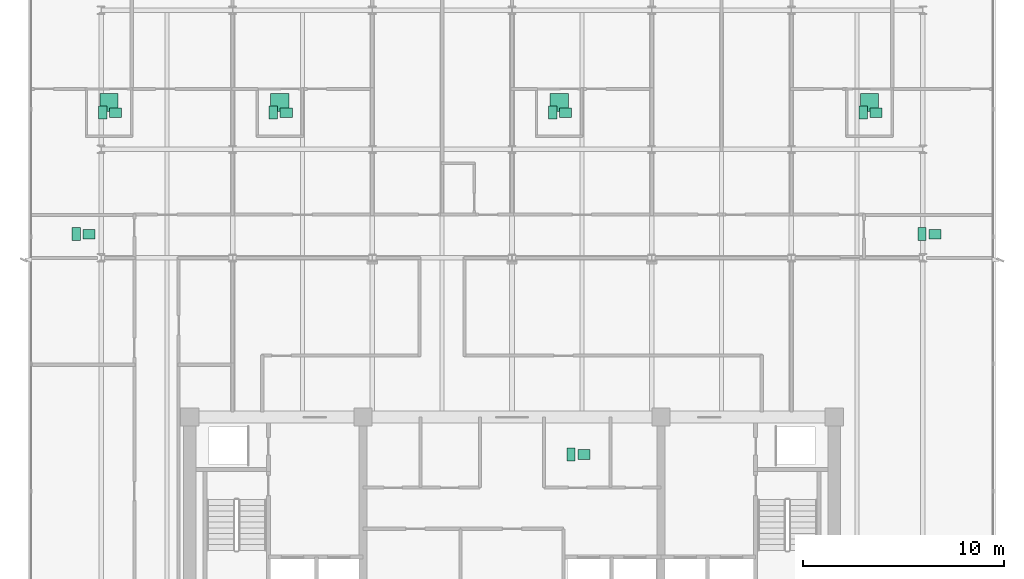
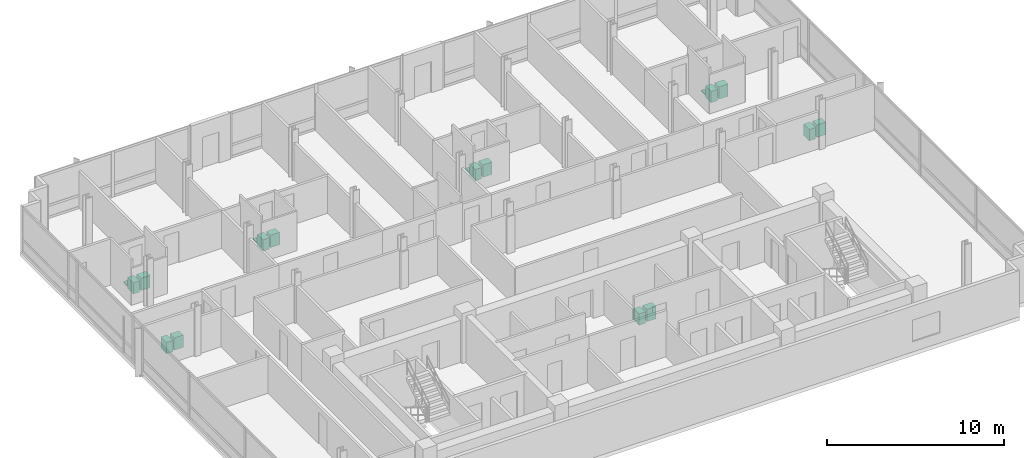
# One storey, part 15 of 15: 18 sanitary terminals.
"""IFC4 building model written with IfcOpenShell, lengths in metres."""

from ifc_helpers import new_model, si_unit, direction, frame, origin, origin_2d, place, context, subcontext, project, spatial, rectangle, extrude, material, type_object, element, save


model = new_model("IFC4")

# Units and contexts
model_context = context("Model", 3, precision=1e-05, world=origin(), true_north=direction((0.0, 1.0)))
body_context = subcontext(model_context, "Body", "Model", "MODEL_VIEW")
ifc_project = project(units=[si_unit("LENGTHUNIT", "METRE"), si_unit("AREAUNIT", "SQUARE_METRE"), si_unit("VOLUMEUNIT", "CUBIC_METRE"), si_unit("PLANEANGLEUNIT", "RADIAN"), si_unit("MASSUNIT", "GRAM", prefix="KILO")], contexts=[model_context])

# Site, building, storey
site_placement = place(None, origin())
site = spatial("IfcSite", under=ifc_project, at=site_placement, CompositionType="ELEMENT")
building_placement = place(site_placement, origin())
building = spatial("IfcBuilding", under=site, at=building_placement, Name="Solmavex Isthmus Hotel", CompositionType="ELEMENT")
storey_placement = place(building_placement, frame((0.0, 0.0, 259.199951171875)))
storey = spatial("IfcBuildingStorey", under=building, at=storey_placement, Name="L70", CompositionType="ELEMENT", Elevation=259.199951171875)

# Sanitary terminals
ifc_material = material(Name="Vitreous china ceramic", Category="ceramic")
sanitary_terminal_type_1 = type_object("IfcSanitaryTerminalType", Name="SAN-BASIN", PredefinedType="WASHHANDBASIN", material=ifc_material)
for number, where, z_axis, x_axis, name in (
    (1, (3.570068359375, -4.360107421875, 0.0), (0.0, 0.0, 1.0), (1.0, 0.0, 0.0), "Vanity Washbasin L70-354"),
    (2, (-19.680908203125, 12.613037109375, 0.0), (0.0, 0.0, 1.0), (1.0, 0.0, 0.0), "Vanity Washbasin L70-355"),
    (3, (-11.208984375, 12.613037109375, 0.0), (0.0, 0.0, 1.0), (1.0, 0.0, 0.0), "Vanity Washbasin L70-356"),
    (4, (2.6630859375, 12.613037109375, 0.0), (0.0, 0.0, 1.0), (1.0, 0.0, 0.0), "Vanity Washbasin L70-357"),
    (5, (18.071044921875, 12.613037109375, 0.0), (0.0, 0.0, 1.0), (1.0, 0.0, 0.0), "Vanity Washbasin L70-358"),
    (6, (-20.9951171875, 6.577392578125, 0.0), (0.0, 0.0, 1.0), (1.0, 0.0, 0.0), "Vanity Washbasin L70-359"),
    (7, (20.99609375, 6.577392578125, 0.0), (0.0, 0.0, 1.0), (1.0, 0.0, 0.0), "Vanity Washbasin L70-360"),
):
    element("IfcSanitaryTerminal", number, at=place(storey_placement, frame(where, z_axis=z_axis, x_axis=x_axis)), inside=storey, type_object=sanitary_terminal_type_1, Name=name, PredefinedType="WASHHANDBASIN", context=body_context, shape_type="SweptSolid", body=[
        extrude(rectangle(XDim=0.60009765625, YDim=0.47998046875, at=origin_2d()), origin(), (0.0, 0.0, 1.0), 0.85009765625),
    ])
sanitary_terminal_type_2 = type_object("IfcSanitaryTerminalType", Name="SAN-SHOWER", PredefinedType="SHOWER", material=ifc_material)
for number, where, z_axis, x_axis, name in (
    (8, (-20.0009765625, 13.113037109375, 0.0), (0.0, 0.0, 1.0), (1.0, 0.0, 0.0), "Walk-In Shower L70-355"),
    (9, (-11.529052734375, 13.113037109375, 0.0), (0.0, 0.0, 1.0), (1.0, 0.0, 0.0), "Walk-In Shower L70-356"),
    (10, (2.343017578125, 13.113037109375, 0.0), (0.0, 0.0, 1.0), (1.0, 0.0, 0.0), "Walk-In Shower L70-357"),
    (11, (17.7509765625, 13.113037109375, 0.0), (0.0, 0.0, 1.0), (1.0, 0.0, 0.0), "Walk-In Shower L70-358"),
):
    element("IfcSanitaryTerminal", number, at=place(storey_placement, frame(where, z_axis=z_axis, x_axis=x_axis)), inside=storey, type_object=sanitary_terminal_type_2, Name=name, PredefinedType="SHOWER", context=body_context, shape_type="SweptSolid", body=[
        extrude(rectangle(XDim=0.89990234375, YDim=0.89990234375, at=origin_2d()), origin(), (0.0, 0.0, 1.0), 0.080078125),
    ])
sanitary_terminal_type_3 = type_object("IfcSanitaryTerminalType", Name="SAN-WC-SUITE", PredefinedType="TOILETPAN", material=ifc_material)
for number, where, z_axis, x_axis, name in (
    (12, (2.929931640625, -4.360107421875, 0.0), (0.0, 0.0, 1.0), (1.0, 0.0, 0.0), "Water Closet L70-354"),
    (13, (-20.321044921875, 12.613037109375, 0.0), (0.0, 0.0, 1.0), (1.0, 0.0, 0.0), "Water Closet L70-355"),
    (14, (-11.84912109375, 12.613037109375, 0.0), (0.0, 0.0, 1.0), (1.0, 0.0, 0.0), "Water Closet L70-356"),
    (15, (2.02294921875, 12.613037109375, 0.0), (0.0, 0.0, 1.0), (1.0, 0.0, 0.0), "Water Closet L70-357"),
    (16, (17.430908203125, 12.613037109375, 0.0), (0.0, 0.0, 1.0), (1.0, 0.0, 0.0), "Water Closet L70-358"),
    (17, (-21.635009765625, 6.577392578125, 0.0), (0.0, 0.0, 1.0), (1.0, 0.0, 0.0), "Water Closet L70-359"),
    (18, (20.35595703125, 6.577392578125, 0.0), (0.0, 0.0, 1.0), (1.0, 0.0, 0.0), "Water Closet L70-360"),
):
    element("IfcSanitaryTerminal", number, at=place(storey_placement, frame(where, z_axis=z_axis, x_axis=x_axis)), inside=storey, type_object=sanitary_terminal_type_3, Name=name, PredefinedType="TOILETPAN", context=body_context, shape_type="SweptSolid", body=[
        extrude(rectangle(XDim=0.419921875, YDim=0.64990234375, at=origin_2d()), origin(), (0.0, 0.0, 1.0), 0.780029296875),
    ])

save(model, "model.ifc")
